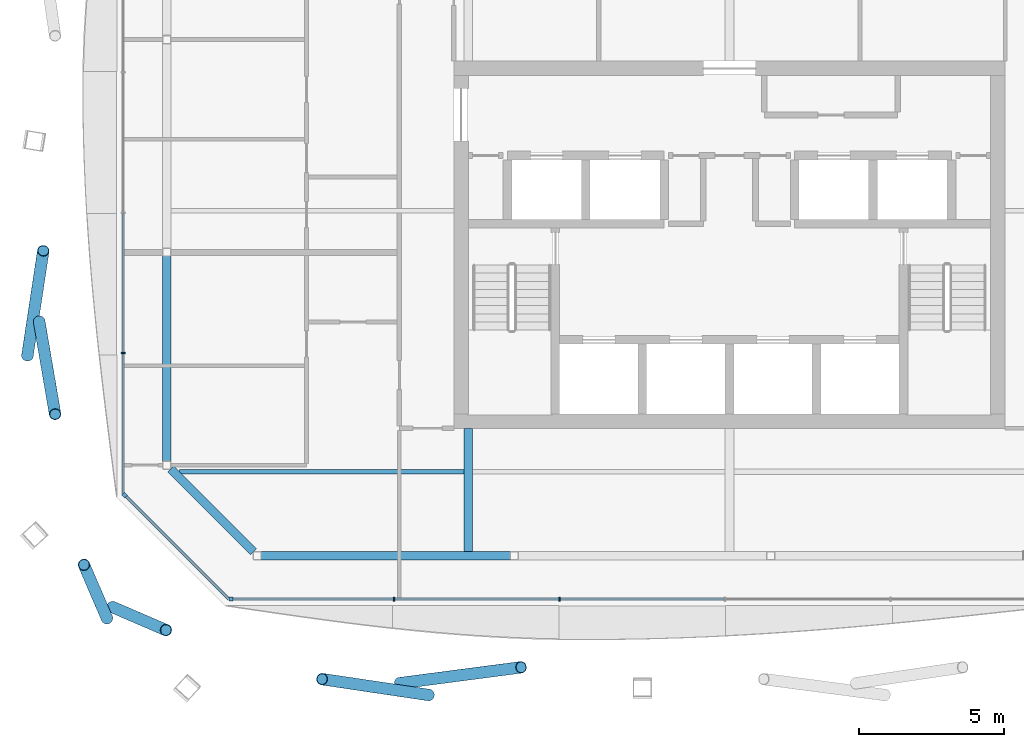
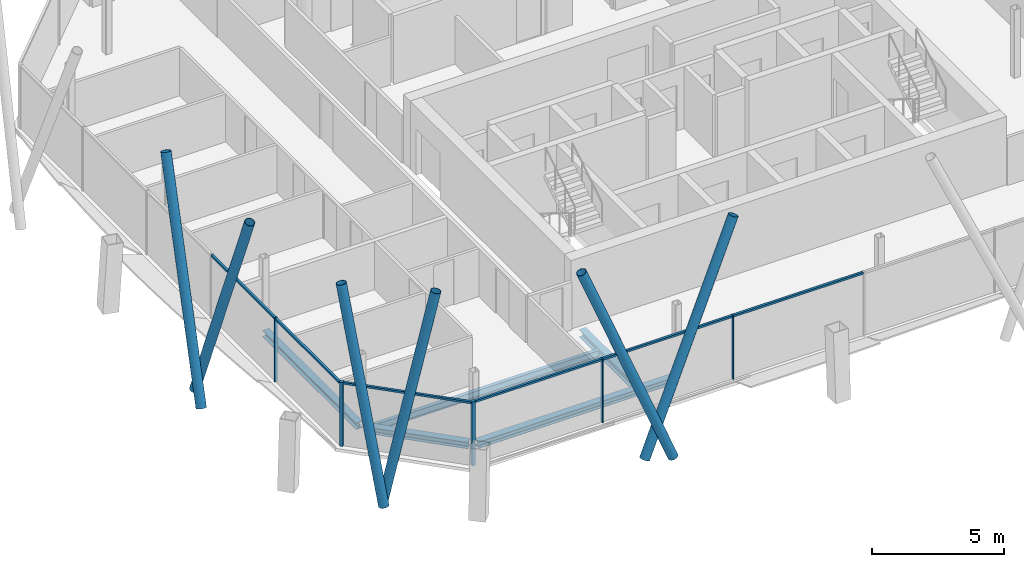
# One storey, part 4 of 17: 17 members, 5 beams, 3 elements without a shape of their own.
"""IFC4 building model written with IfcOpenShell, lengths in metres."""

from ifc_helpers import new_model, si_unit, direction, frame, origin, origin_2d, place, context, subcontext, project, spatial, rectangle, hollow_circle, i_section, extrude, material, material_profile, profile_set, type_object, element, aggregate, save


model = new_model("IFC4")

# Units and contexts
model_context = context("Model", 3, precision=1e-05, world=origin(), true_north=direction((0.0, 1.0)))
body_context = subcontext(model_context, "Body", "Model", "MODEL_VIEW")
ifc_project = project(units=[si_unit("LENGTHUNIT", "METRE"), si_unit("AREAUNIT", "SQUARE_METRE"), si_unit("VOLUMEUNIT", "CUBIC_METRE"), si_unit("PLANEANGLEUNIT", "RADIAN"), si_unit("MASSUNIT", "GRAM", prefix="KILO")], contexts=[model_context])

# Site, building, storey
site_placement = place(None, origin())
site = spatial("IfcSite", under=ifc_project, at=site_placement, CompositionType="ELEMENT")
building_placement = place(site_placement, origin())
building = spatial("IfcBuilding", under=site, at=building_placement, Name="Tskaro Facet Tower", CompositionType="ELEMENT")
storey_placement = place(building_placement, frame((0.0, 0.0, 236.10009765625)))
storey = spatial("IfcBuildingStorey", under=building, at=storey_placement, Name="L61", CompositionType="ELEMENT", Elevation=236.10009765625)

# Members
ifc_material_1 = material(Name="Steel S355J2H", Category="steel")
ifc_material_profile_1 = material_profile(ifc_material_1, hollow_circle(Radius=0.203125, WallThickness=0.02001953125, at=origin_2d()), Name="CHS 406.4x20")
ifc_profile_set_1 = profile_set([ifc_material_profile_1], Name="Steel S355J2H")
member_type_1 = type_object("IfcMemberType", Name="CHS 406.4x20 brace", PredefinedType="BRACE", material=ifc_profile_set_1)
member_1_placement = place(storey_placement, frame((-11.360107421875, -20.785888671875, 0.0), z_axis=(0.4039696779, 0.052967639697, 0.9132376079), x_axis=(-0.130005105328, 0.991513324464, 0.0)))
element("IfcMember", 1, at=member_1_placement, inside=storey, type_object=member_type_1, Name="CHS 406.4x20 XB01A/5", PredefinedType="BRACE", context=body_context, shape_type="SweptSolid", body=[
    extrude(hollow_circle(Radius=0.203125, WallThickness=0.02001953125, at=origin_2d()), origin(), (0.0, 0.0, 1.0), 10.34765625),
])
member_2_placement = place(storey_placement, frame((-10.359619140625, -21.192138671875, 0.0), z_axis=(-0.362321032435, 0.053944293842, 0.930490990078), x_axis=(-0.147262127876, -0.9890975006, 0.0)))
element("IfcMember", 2, at=member_2_placement, inside=storey, type_object=member_type_1, Name="CHS 406.4x20 XB01B/5", PredefinedType="BRACE", context=body_context, shape_type="SweptSolid", body=[
    extrude(hollow_circle(Radius=0.203125, WallThickness=0.02001953125, at=origin_2d()), origin(), (0.0, 0.0, 1.0), 10.15576171875),
])
member_3_placement = place(storey_placement, frame((-23.785888671875, -8.31591796875, 0.0), z_axis=(0.054850005885, -0.320402217005, 0.945692284093), x_axis=(0.985661209778, 0.16873642031, 0.0)))
element("IfcMember", 3, at=member_3_placement, inside=storey, type_object=member_type_1, Name="CHS 406.4x20 XB11A/5", PredefinedType="BRACE", context=body_context, shape_type="SweptSolid", body=[
    extrude(hollow_circle(Radius=0.203125, WallThickness=0.02001953125, at=origin_2d()), origin(), (0.0, 0.0, 1.0), 9.99267578125),
])
member_4_placement = place(storey_placement, frame((-24.192138671875, -9.49560546875, 0.0), z_axis=(0.054073246754, 0.356536434478, 0.932715312877), x_axis=(-0.988693899866, 0.149947898844, 0.0)))
element("IfcMember", 4, at=member_4_placement, inside=storey, type_object=member_type_1, Name="CHS 406.4x20 XB11B/5", PredefinedType="BRACE", context=body_context, shape_type="SweptSolid", body=[
    extrude(hollow_circle(Radius=0.203125, WallThickness=0.02001953125, at=origin_2d()), origin(), (0.0, 0.0, 1.0), 10.131591796875),
])
for number, where, z_axis, x_axis, name in (
    (5, (-21.25830078125, -18.162841796875, 0.0), (0.190630309966, -0.082110284645, 0.978221849111), (0.395593875479, 0.918425547164, 0.0), "CHS 406.4x20 XB12A/5"),
    (6, (-21.4501953125, -18.545654296875, 0.0), (-0.082110284645, 0.190630309966, 0.978221849111), (-0.918425547164, -0.395593875479, 0.0), "CHS 406.4x20 XB12B/5"),
):
    element("IfcMember", number, at=place(storey_placement, frame(where, z_axis=z_axis, x_axis=x_axis)), inside=storey, type_object=member_type_1, Name=name, PredefinedType="BRACE", context=body_context, shape_type="SweptSolid", body=[
        extrude(hollow_circle(Radius=0.203125, WallThickness=0.02001953125, at=origin_2d()), origin(), (0.0, 0.0, 1.0), 9.660400390625),
    ])

# Curtain wall, member
ifc_material_2 = material(Name="Bronze anodised aluminium 6063-T6", Category="aluminium")
curtain_wall_type = type_object("IfcCurtainWallType", Name="Bronze residence curtain wall (FW3)", PredefinedType="NOTDEFINED", material=ifc_material_2)
curtain_wall_1_placement = place(storey_placement, origin())
curtain_wall_1 = element("IfcCurtainWall", 7, at=curtain_wall_1_placement, inside=storey, type_object=curtain_wall_type, Name="FW3 south facet L61", PredefinedType="NOTDEFINED")
ifc_material_profile_2 = material_profile(ifc_material_2, rectangle(XDim=0.139892578125, YDim=0.139892578125, at=origin_2d()), Name="Corner post 140x140")
ifc_profile_set_2 = profile_set([ifc_material_profile_2], Name="Bronze anodised aluminium 6063-T6")
member_type_2 = type_object("IfcMemberType", Name="FW3 bronze corner post 140x140", PredefinedType="MULLION", material=ifc_profile_set_2)
member_5_placement = place(storey_placement, frame((-17.18310546875, -17.888916015625, 0.0), z_axis=(0.0, 0.0, 1.0), x_axis=(1.0, 0.0, 0.0)))
member_5 = element("IfcMember", 8, at=member_5_placement, type_object=member_type_2, Name="FW3 south corner post", PredefinedType="MULLION", context=body_context, shape_type="SweptSolid", body=[
    extrude(rectangle(XDim=0.139892578125, YDim=0.139892578125, at=origin_2d()), origin(), (0.0, 0.0, 1.0), 2.949951171875),
])

curtain_wall_2_placement = place(storey_placement, origin())
curtain_wall_2 = element("IfcCurtainWall", 9, at=curtain_wall_2_placement, inside=storey, type_object=curtain_wall_type, Name="FW3 south-west facet L61", PredefinedType="NOTDEFINED")
member_6_placement = place(storey_placement, frame((-20.839599609375, -14.302490234375, 0.0), z_axis=(0.0, 0.0, 1.0), x_axis=(0.707106781187, -0.707106781187, 0.0)))
member_6 = element("IfcMember", 10, at=member_6_placement, type_object=member_type_2, Name="FW3 south-west corner post", PredefinedType="MULLION", context=body_context, shape_type="SweptSolid", body=[
    extrude(rectangle(XDim=0.139892578125, YDim=0.139892578125, at=origin_2d()), origin(), (0.0, 0.0, 1.0), 2.949951171875),
])

# Member
ifc_material_profile_3 = material_profile(ifc_material_2, rectangle(XDim=0.050048828125, YDim=0.139892578125, at=origin_2d()), Name="Mullion 50x140")
ifc_profile_set_3 = profile_set([ifc_material_profile_3], Name="Bronze anodised aluminium 6063-T6")
member_type_3 = type_object("IfcMemberType", Name="FW3 bronze mullion 50x140", PredefinedType="MULLION", material=ifc_profile_set_3)
member_7_placement = place(storey_placement, frame((-11.5517578125, -17.888916015625, 0.0), z_axis=(0.0, 0.0, 1.0), x_axis=(1.0, 0.0, 0.0)))
member_7 = element("IfcMember", 11, at=member_7_placement, type_object=member_type_3, Name="FW3 south mullion 1", PredefinedType="MULLION", context=body_context, shape_type="SweptSolid", body=[
    extrude(rectangle(XDim=0.050048828125, YDim=0.139892578125, at=origin_2d()), origin(), (0.0, 0.0, 1.0), 2.949951171875),
])

member_8_placement = place(storey_placement, frame((-5.8505859375, -17.888916015625, 0.0), z_axis=(0.0, 0.0, 1.0), x_axis=(1.0, 0.0, 0.0)))
member_8 = element("IfcMember", 12, at=member_8_placement, type_object=member_type_3, Name="FW3 south mullion 2", PredefinedType="MULLION", context=body_context, shape_type="SweptSolid", body=[
    extrude(rectangle(XDim=0.050048828125, YDim=0.139892578125, at=origin_2d()), origin(), (0.0, 0.0, 1.0), 2.949951171875),
])

# Curtain wall, member
curtain_wall_3_placement = place(storey_placement, origin())
curtain_wall_3 = element("IfcCurtainWall", 13, at=curtain_wall_3_placement, inside=storey, type_object=curtain_wall_type, Name="FW3 west facet L61", PredefinedType="NOTDEFINED")
member_9_placement = place(storey_placement, frame((-20.888916015625, -9.412841796875, 0.0), z_axis=(0.0, 0.0, 1.0), x_axis=(0.0, -1.0, 0.0)))
member_9 = element("IfcMember", 14, at=member_9_placement, type_object=member_type_3, Name="FW3 west mullion 4", PredefinedType="MULLION", context=body_context, shape_type="SweptSolid", body=[
    extrude(rectangle(XDim=0.050048828125, YDim=0.139892578125, at=origin_2d()), origin(), (0.0, 0.0, 1.0), 2.949951171875),
])

# Member
ifc_material_profile_4 = material_profile(ifc_material_2, rectangle(XDim=0.10009765625, YDim=0.090087890625, at=origin_2d()), Name="Transom 100x90")
ifc_profile_set_4 = profile_set([ifc_material_profile_4], Name="Bronze anodised aluminium 6063-T6")
member_type_4 = type_object("IfcMemberType", Name="FW3 bronze transom 100x90", PredefinedType="USERDEFINED", material=ifc_profile_set_4)
member_10_placement = place(storey_placement, frame((-17.113037109375, -17.888916015625, 2.90478515625), z_axis=(1.0, 0.0, 0.0), x_axis=(0.0, 1.0, 0.0)))
member_10 = element("IfcMember", 15, at=member_10_placement, type_object=member_type_4, Name="FW3 south transom 1.1", ObjectType="TRANSOM", PredefinedType="USERDEFINED", context=body_context, shape_type="SweptSolid", body=[
    extrude(rectangle(XDim=0.10009765625, YDim=0.090087890625, at=origin_2d()), origin(), (0.0, 0.0, 1.0), 5.5361328125),
])

member_11_placement = place(storey_placement, frame((-11.52685546875, -17.888916015625, 2.90478515625), z_axis=(1.0, 0.0, 0.0), x_axis=(0.0, 1.0, 0.0)))
member_11 = element("IfcMember", 16, at=member_11_placement, type_object=member_type_4, Name="FW3 south transom 2.1", ObjectType="TRANSOM", PredefinedType="USERDEFINED", context=body_context, shape_type="SweptSolid", body=[
    extrude(rectangle(XDim=0.10009765625, YDim=0.090087890625, at=origin_2d()), origin(), (0.0, 0.0, 1.0), 5.6513671875),
])

member_12_placement = place(storey_placement, frame((-5.82568359375, -17.888916015625, 2.90478515625), z_axis=(1.0, 0.0, 0.0), x_axis=(0.0, 1.0, 0.0)))
member_12 = element("IfcMember", 17, at=member_12_placement, type_object=member_type_4, Name="FW3 south transom 3.1", ObjectType="TRANSOM", PredefinedType="USERDEFINED", context=body_context, shape_type="SweptSolid", body=[
    extrude(rectangle(XDim=0.10009765625, YDim=0.090087890625, at=origin_2d()), origin(), (0.0, 0.0, 1.0), 5.6513671875),
])

aggregate(curtain_wall_1, [member_5, member_7, member_8, member_10, member_11, member_12])

member_13_placement = place(storey_placement, frame((-20.888916015625, -4.59765625, 2.90478515625), z_axis=(0.0, -1.0, 0.0), x_axis=(1.0, 0.0, 0.0)))
member_13 = element("IfcMember", 18, at=member_13_placement, type_object=member_type_4, Name="FW3 west transom 4.1", ObjectType="TRANSOM", PredefinedType="USERDEFINED", context=body_context, shape_type="SweptSolid", body=[
    extrude(rectangle(XDim=0.10009765625, YDim=0.090087890625, at=origin_2d()), origin(), (0.0, 0.0, 1.0), 4.7900390625),
])

member_14_placement = place(storey_placement, frame((-20.888916015625, -9.437744140625, 2.90478515625), z_axis=(0.0, -1.0, 0.0), x_axis=(1.0, 0.0, 0.0)))
member_14 = element("IfcMember", 19, at=member_14_placement, type_object=member_type_4, Name="FW3 west transom 5.1", ObjectType="TRANSOM", PredefinedType="USERDEFINED", context=body_context, shape_type="SweptSolid", body=[
    extrude(rectangle(XDim=0.10009765625, YDim=0.090087890625, at=origin_2d()), origin(), (0.0, 0.0, 1.0), 4.815185546875),
])

aggregate(curtain_wall_3, [member_9, member_13, member_14])

member_15_placement = place(storey_placement, frame((-20.7900390625, -14.35205078125, 2.90478515625), z_axis=(0.707131184796, -0.707082376735, 0.0), x_axis=(0.707082376735, 0.707131184796, 0.0)))
member_15 = element("IfcMember", 20, at=member_15_placement, type_object=member_type_4, Name="FW3 south-west transom 1.1", ObjectType="TRANSOM", PredefinedType="USERDEFINED", context=body_context, shape_type="SweptSolid", body=[
    extrude(rectangle(XDim=0.10009765625, YDim=0.090087890625, at=origin_2d()), origin(), (0.0, 0.0, 1.0), 5.001953125),
])

aggregate(curtain_wall_2, [member_6, member_15])

# Beams
ifc_material_3 = material(Name="Steel S355J2", Category="steel")
ifc_material_profile_5 = material_profile(ifc_material_3, i_section(OverallWidth=0.300048828125, OverallDepth=0.300048828125, WebThickness=0.010986328125, FlangeThickness=0.01904296875, FilletRadius=0.027099609375, at=origin_2d()), Name="HE 300 B")
ifc_profile_set_5 = profile_set([ifc_material_profile_5], Name="Steel S355J2")
beam_type_1 = type_object("IfcBeamType", Name="HE 300 B ring beam", PredefinedType="BEAM", material=ifc_profile_set_5)
beam_1_placement = place(storey_placement, frame((-16.137939453125, -16.39111328125, -0.2900390625), z_axis=(1.0, 0.0, 0.0), x_axis=(0.0, 1.0, 0.0)))
element("IfcBeam", 21, at=beam_1_placement, inside=storey, type_object=beam_type_1, Name="HE 300 B EB1-5", PredefinedType="BEAM", context=body_context, shape_type="SweptSolid", body=[
    extrude(i_section(OverallWidth=0.300048828125, OverallDepth=0.300048828125, WebThickness=0.010986328125, FlangeThickness=0.01904296875, FilletRadius=0.027099609375, at=origin_2d()), origin(), (0.0, 0.0, 1.0), 8.5849609375),
])
beam_2_placement = place(storey_placement, frame((-19.39111328125, -6.06689453125, -0.2900390625), z_axis=(0.0, -1.0, 0.0), x_axis=(1.0, 0.0, 0.0)))
element("IfcBeam", 22, at=beam_2_placement, inside=storey, type_object=beam_type_1, Name="HE 300 B EB16-5", PredefinedType="BEAM", context=body_context, shape_type="SweptSolid", body=[
    extrude(i_section(OverallWidth=0.300048828125, OverallDepth=0.300048828125, WebThickness=0.010986328125, FlangeThickness=0.01904296875, FilletRadius=0.027099609375, at=origin_2d()), origin(), (0.0, 0.0, 1.0), 7.071044921875),
])
beam_3_placement = place(storey_placement, frame((-19.255126953125, -13.40380859375, -0.2900390625), z_axis=(0.707106781187, -0.707106781187, 0.0), x_axis=(0.707106781187, 0.707106781187, 0.0)))
element("IfcBeam", 23, at=beam_3_placement, inside=storey, type_object=beam_type_1, Name="HE 300 B EB17-5", PredefinedType="BEAM", context=body_context, shape_type="SweptSolid", body=[
    extrude(i_section(OverallWidth=0.300048828125, OverallDepth=0.300048828125, WebThickness=0.010986328125, FlangeThickness=0.01904296875, FilletRadius=0.027099609375, at=origin_2d()), origin(), (0.0, 0.0, 1.0), 4.032470703125),
])
ifc_material_profile_6 = material_profile(ifc_material_3, i_section(OverallWidth=0.300048828125, OverallDepth=0.35009765625, WebThickness=0.010009765625, FlangeThickness=0.017578125, FilletRadius=0.027099609375, at=origin_2d()), Name="HE 360 A")
ifc_profile_set_6 = profile_set([ifc_material_profile_6], Name="Steel S355J2")
beam_type_2 = type_object("IfcBeamType", Name="HE 360 A girder", PredefinedType="BEAM", material=ifc_profile_set_6)
beam_4_placement = place(storey_placement, frame((-9.0, -16.240966796875, -0.315185546875), z_axis=(0.0, 1.0, 0.0), x_axis=(-1.0, 0.0, 0.0)))
element("IfcBeam", 24, at=beam_4_placement, inside=storey, type_object=beam_type_2, Name="HE 360 A GB3-1-5", PredefinedType="BEAM", context=body_context, shape_type="SweptSolid", body=[
    extrude(i_section(OverallWidth=0.300048828125, OverallDepth=0.35009765625, WebThickness=0.010009765625, FlangeThickness=0.017578125, FilletRadius=0.027099609375, at=origin_2d()), origin(), (0.0, 0.0, 1.0), 4.240966796875),
])
ifc_material_profile_7 = material_profile(ifc_material_3, i_section(OverallWidth=0.159912109375, OverallDepth=0.330078125, WebThickness=0.007568359375, FlangeThickness=0.011474609375, FilletRadius=0.01806640625, at=origin_2d()), Name="IPE 330")
ifc_profile_set_7 = profile_set([ifc_material_profile_7], Name="Steel S355J2")
beam_type_3 = type_object("IfcBeamType", Name="IPE 330 secondary beam", PredefinedType="BEAM", material=ifc_profile_set_7)
beam_5_placement = place(storey_placement, frame((-18.947021484375, -13.5, -0.30517578125), z_axis=(1.0, 0.0, 0.0), x_axis=(0.0, 1.0, 0.0)))
element("IfcBeam", 25, at=beam_5_placement, inside=storey, type_object=beam_type_3, Name="IPE 330 SB2a-1-5", PredefinedType="BEAM", context=body_context, shape_type="SweptSolid", body=[
    extrude(i_section(OverallWidth=0.159912109375, OverallDepth=0.330078125, WebThickness=0.007568359375, FlangeThickness=0.011474609375, FilletRadius=0.01806640625, at=origin_2d()), origin(), (0.0, 0.0, 1.0), 9.797119140625),
])

save(model, "model.ifc")
